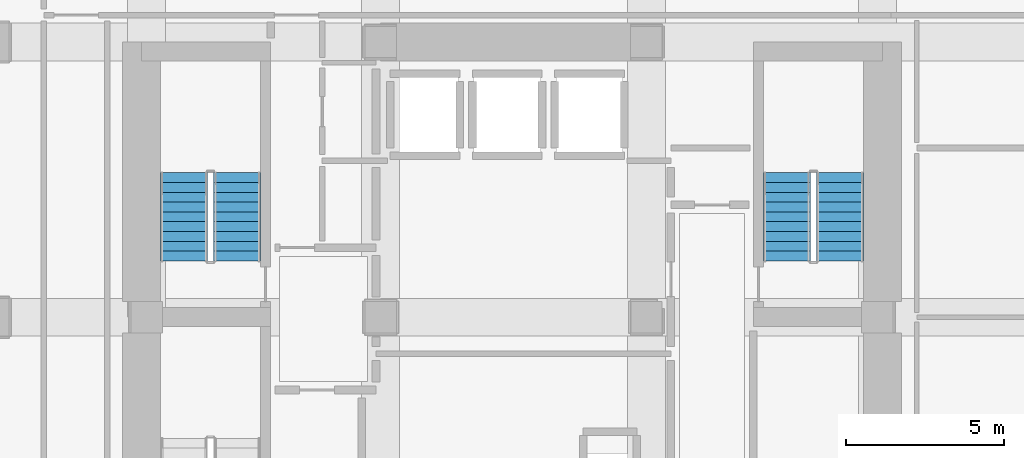
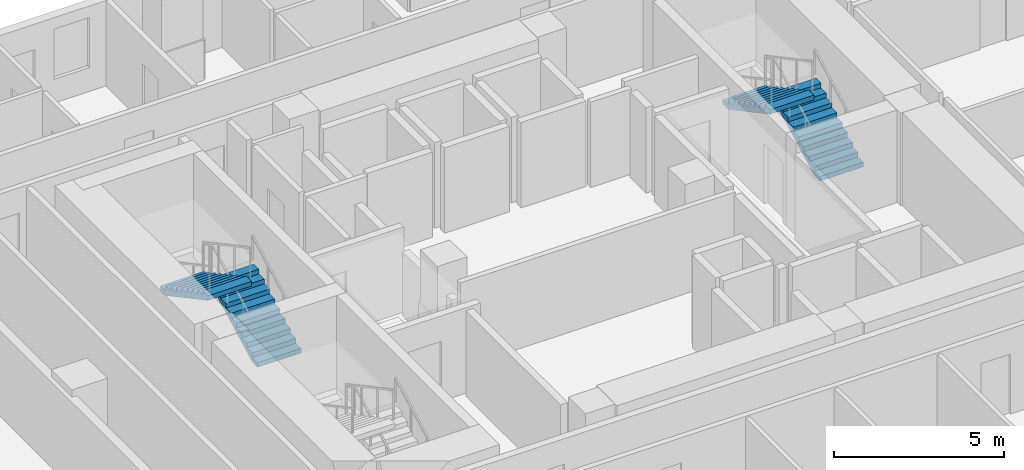
# One storey, part 7 of 10: 4 stair flights, 2 elements without a shape of their own.
"""IFC4 building model written with IfcOpenShell, lengths in metres."""

import ifcopenshell
import ifcopenshell.guid

model = None  # the IFC model being written
_history = None  # IfcOwnerHistory: only IFC2X3 demands one
_inside = {}  # id of a spatial element -> (the spatial element, [elements in it])
_under = {}  # id of a project, library or spatial element -> (it, [spatial elements below it])
_declared = {}  # id of a project -> (the project, [libraries it declares])
_typed = {}  # id of a type object -> (the type object, [elements of that type])
_made_of = {}  # id of a material, layer set ... -> (it, [elements and type objects made of it])


def new_model(schema):
    """Start an empty IFC model of exactly this schema.

    Asked for "IFC4X3", IfcOpenShell would pick the latest addendum, in which some entities
    have other attributes; the version numbers below select the first issue.
    IFC2X3 requires an IfcOwnerHistory on every rooted entity: one is made here for all.
    """
    global model, _history
    if schema == "IFC4X3":
        model = ifcopenshell.file(schema_version=(4, 3, 0, 0))
    else:
        model = ifcopenshell.file(schema=schema)
    _inside.clear()
    _under.clear()
    _declared.clear()
    _typed.clear()
    _made_of.clear()
    _history = None
    if model.schema == "IFC2X3":
        org = make("IfcOrganization", Name="unknown")
        user = make(
            "IfcPersonAndOrganization",
            ThePerson=make("IfcPerson", FamilyName="unknown"),
            TheOrganization=org,
        )
        app = make(
            "IfcApplication",
            ApplicationDeveloper=org,
            Version="unknown",
            ApplicationFullName="unknown",
            ApplicationIdentifier="unknown",
        )
        _history = make(
            "IfcOwnerHistory",
            OwningUser=user,
            OwningApplication=app,
            ChangeAction="ADDED",
            CreationDate=0,
        )
    return model


def make(cls, **values):
    """One entity of the class cls with the attributes given. An attribute that is None is left unset."""
    return model.create_entity(
        cls, **{name: value for name, value in values.items() if value is not None}
    )


def rooted(cls, **values):
    """An entity with a GlobalId (a new one), such as an element, a storey or a relation."""
    return make(cls, GlobalId=ifcopenshell.guid.new(), OwnerHistory=_history, **values)


def si_unit(unit_type, name, prefix=None):
    """IfcSIUnit, for example si_unit("LENGTHUNIT", "METRE", prefix="MILLI")."""
    return make("IfcSIUnit", UnitType=unit_type, Prefix=prefix, Name=name)


def assignment(units):
    """IfcUnitAssignment: the units of a project."""
    return None if units is None else make("IfcUnitAssignment", Units=units)


def point(xyz):
    """IfcCartesianPoint."""
    return None if xyz is None else make("IfcCartesianPoint", Coordinates=xyz)


def direction(xyz):
    """IfcDirection."""
    return None if xyz is None else make("IfcDirection", DirectionRatios=xyz)


def frame(location, z_axis=None, x_axis=None):
    """IfcAxis2Placement3D, a coordinate frame: its origin and axes. An axis left out is left unset."""
    return make(
        "IfcAxis2Placement3D",
        Location=point(location),
        Axis=direction(z_axis),
        RefDirection=direction(x_axis),
    )


def origin():
    """The frame at (0, 0, 0) with its axes left unset."""
    return frame((0.0, 0.0, 0.0))


def place(relative_to, where):
    """IfcLocalPlacement: puts the frame where relative to a parent placement (None: the world)."""
    return make(
        "IfcLocalPlacement", PlacementRelTo=relative_to, RelativePlacement=where
    )


def context(
    kind, dimensions, precision=None, world=None, true_north=None, identifier=None
):
    """IfcGeometricRepresentationContext, for example the 3D "Model" context."""
    return make(
        "IfcGeometricRepresentationContext",
        ContextIdentifier=identifier,
        ContextType=kind,
        CoordinateSpaceDimension=dimensions,
        Precision=precision,
        WorldCoordinateSystem=world,
        TrueNorth=true_north,
    )


def subcontext(parent, identifier, kind, view, scale=None):
    """IfcGeometricRepresentationSubContext, for example "Body" below "Model"."""
    return make(
        "IfcGeometricRepresentationSubContext",
        ContextIdentifier=identifier,
        ContextType=kind,
        ParentContext=parent,
        TargetScale=scale,
        TargetView=view,
    )


def project(units=None, contexts=None):
    """IfcProject with its units and contexts."""
    return rooted(
        "IfcProject",
        Name="project",
        RepresentationContexts=contexts,
        UnitsInContext=assignment(units),
    )


def spatial(cls, under=None, at=None, **own):
    """A site, building, storey or space (cls), placed at a placement, below another one or the project."""
    s = rooted(cls, ObjectPlacement=at, **own)
    if under is not None:
        _under.setdefault(under.id(), (under, []))[1].append(s)
    return s


def polyline(points):
    """IfcPolyline through the points."""
    return make("IfcPolyline", Points=[point(p) for p in points])


def outline(outer, holes=None, kind="AREA"):
    """IfcArbitraryClosedProfileDef: a profile drawn as a closed curve; with holes, ...WithVoids."""
    if holes is None:
        return make("IfcArbitraryClosedProfileDef", ProfileType=kind, OuterCurve=outer)
    return make(
        "IfcArbitraryProfileDefWithVoids",
        ProfileType=kind,
        OuterCurve=outer,
        InnerCurves=holes,
    )


def extrude(swept, where, along, depth):
    """IfcExtrudedAreaSolid: the profile swept, set in the frame where, extruded along a direction by depth."""
    return make(
        "IfcExtrudedAreaSolid",
        SweptArea=swept,
        Position=where,
        ExtrudedDirection=direction(along),
        Depth=depth,
    )


def shape(context_of_items, identifier, shape_type, items):
    """IfcShapeRepresentation: the items that make up one representation, for example the "Body"."""
    return make(
        "IfcShapeRepresentation",
        ContextOfItems=context_of_items,
        RepresentationIdentifier=identifier,
        RepresentationType=shape_type,
        Items=items,
    )


def material(Name=None, Category=None):
    """IfcMaterial."""
    return make("IfcMaterial", Name=Name, Category=Category)


def made_of(thing, what):
    """Note that an element or type object is made of a material, layer set ...; save() writes the relation."""
    if what is not None:
        _made_of.setdefault(what.id(), (what, []))[1].append(thing)
    return thing


def type_object(cls, material=None, **own):
    """A type object (cls), such as IfcWallType, which elements share."""
    return made_of(rooted(cls, **own), material)


def element(
    cls,
    number,
    at=None,
    inside=None,
    cuts=None,
    type_object=None,
    material=None,
    context=None,
    identifier="Body",
    shape_type=None,
    held_by="IfcProductDefinitionShape",
    body=None,
    shapes=None,
    **own,
):
    """One element of the class cls, such as IfcWall. Its Tag is "e" and its number.

    at: its placement. inside: the storey or other place that contains it. cuts: it is an
    opening in that element (IfcRelVoidsElement). A single representation is given by context,
    identifier, shape_type and body (its items); several are given by shapes. held_by: the class
    of the entity that holds the representations. save() writes the other relations.
    """
    e = rooted(cls, Tag="e%d" % number, ObjectPlacement=at, **own)
    if body is not None:
        shapes = [shape(context, identifier, shape_type, body)]
    if shapes is not None:
        e.Representation = make(held_by, Representations=shapes)
    if inside is not None:
        _inside.setdefault(inside.id(), (inside, []))[1].append(e)
    if cuts is not None:
        rooted(
            "IfcRelVoidsElement", RelatingBuildingElement=cuts, RelatedOpeningElement=e
        )
    if type_object is not None:
        _typed.setdefault(type_object.id(), (type_object, []))[1].append(e)
    return made_of(e, material)


def aggregate(whole, parts):
    """IfcRelAggregates: a whole, such as a stair, and the parts it consists of."""
    return rooted("IfcRelAggregates", RelatingObject=whole, RelatedObjects=parts)


def save(model, path):
    """Write the relations noted so far, then the file.

    IfcRelAggregates (storeys below a building ...), IfcRelContainedInSpatialStructure (elements
    in a storey), IfcRelDefinesByType, IfcRelAssociatesMaterial and IfcRelDeclares: one each for
    every whole, place, type object, material and project.
    """
    for whole, parts in _under.values():
        aggregate(whole, parts)
    for where, things in _inside.values():
        rooted(
            "IfcRelContainedInSpatialStructure",
            RelatedElements=things,
            RelatingStructure=where,
        )
    for kind, things in _typed.values():
        rooted("IfcRelDefinesByType", RelatedObjects=things, RelatingType=kind)
    for what, things in _made_of.values():
        rooted("IfcRelAssociatesMaterial", RelatedObjects=things, RelatingMaterial=what)
    for by, libraries in _declared.values():
        rooted("IfcRelDeclares", RelatingContext=by, RelatedDefinitions=libraries)
    model.write(path)


model = new_model("IFC4")

# Units and contexts
model_context = context("Model", 3, precision=1e-05, world=origin(), true_north=direction((0.0, 1.0)))
body_context = subcontext(model_context, "Body", "Model", "MODEL_VIEW")
ifc_project = project(units=[si_unit("LENGTHUNIT", "METRE"), si_unit("AREAUNIT", "SQUARE_METRE"), si_unit("VOLUMEUNIT", "CUBIC_METRE"), si_unit("PLANEANGLEUNIT", "RADIAN"), si_unit("MASSUNIT", "GRAM", prefix="KILO")], contexts=[model_context])

# Site, building, storey
site_placement = place(None, origin())
site = spatial("IfcSite", under=ifc_project, at=site_placement, CompositionType="ELEMENT")
building_placement = place(site_placement, origin())
building = spatial("IfcBuilding", under=site, at=building_placement, Name="Solanera Arch Residences", CompositionType="ELEMENT")
storey_placement = place(building_placement, frame((0.0, 0.0, 41.919921875)))
storey = spatial("IfcBuildingStorey", under=building, at=storey_placement, Name="L11", CompositionType="ELEMENT", Elevation=41.919921875)

# Stair, stair flights
ifc_material_1 = material(Name="Concrete C40/50 (f'c = 45 MPa)", Category="concrete")
stair_type = type_object("IfcStairType", Name="Tower Dogleg Exit Stair 1480", PredefinedType="HALF_TURN_STAIR", material=ifc_material_1)
stair_1_placement = place(storey_placement, origin())
stair_1 = element("IfcStair", 1, at=stair_1_placement, inside=storey, type_object=stair_type, Name="L11 Tower Core Exit Stair 1", PredefinedType="HALF_TURN_STAIR")
ifc_material_2 = material(Name="Concrete C40/50 (f'c = 45 MPa)", Category="concrete")
stair_flight_type = type_object("IfcStairFlightType", Name="Tower Precast Stair Flight 1480", PredefinedType="STRAIGHT", material=ifc_material_2)
stair_flight_1_placement = place(storey_placement, frame((16.260009765625, 32.47998046875, 0.0), z_axis=(0.0, 0.0, 1.0), x_axis=(0.0, 1.0, 0.0)))
stair_flight_1 = element("IfcStairFlight", 2, at=stair_flight_1_placement, type_object=stair_flight_type, Name="ST-T1 flight 1", NumberOfRisers=10, NumberOfTreads=9, PredefinedType="STRAIGHT", RiserHeight=0.166, TreadLength=0.31, context=body_context, shape_type="SweptSolid", body=[
    extrude(outline(polyline([(0.0, 0.0), (0.0, 0.166015625), (0.31005859375, 0.166015625), (0.31005859375, 0.33203125), (0.6201171875, 0.33203125), (0.6201171875, 0.498046875), (0.929931640625, 0.498046875), (0.929931640625, 0.6640625), (1.239990234375, 0.6640625), (1.239990234375, 0.830078125), (1.550048828125, 0.830078125), (1.550048828125, 0.99609375), (1.860107421875, 0.99609375), (1.860107421875, 1.162109375), (2.169921875, 1.162109375), (2.169921875, 1.327880859375), (2.47998046875, 1.327880859375), (2.47998046875, 1.493896484375), (2.7900390625, 1.493896484375), (2.7900390625, 1.659912109375), (2.7900390625, 1.323974609375), (0.317626953125, 0.0), (0.0, 0.0)])), frame((0.0, 0.739990234375, 0.0), z_axis=(0.0, -1.0, 0.0), x_axis=(1.0, 0.0, 0.0)), (0.0, 0.0, 1.0), 1.47998046875),
])
stair_flight_2_placement = place(storey_placement, frame((14.580078125, 35.27001953125, 1.66015625), z_axis=(0.0, 0.0, 1.0), x_axis=(0.0, -1.0, 0.0)))
stair_flight_2 = element("IfcStairFlight", 3, at=stair_flight_2_placement, type_object=stair_flight_type, Name="ST-T1 flight 2", NumberOfRisers=10, NumberOfTreads=9, PredefinedType="STRAIGHT", RiserHeight=0.166, TreadLength=0.31, context=body_context, shape_type="SweptSolid", body=[
    extrude(outline(polyline([(0.0, 0.0), (0.0, 0.166015625), (0.31005859375, 0.166015625), (0.31005859375, 0.33203125), (0.6201171875, 0.33203125), (0.6201171875, 0.498046875), (0.929931640625, 0.498046875), (0.929931640625, 0.6640625), (1.239990234375, 0.6640625), (1.239990234375, 0.830078125), (1.550048828125, 0.830078125), (1.550048828125, 0.99609375), (1.860107421875, 0.99609375), (1.860107421875, 1.162109375), (2.169921875, 1.162109375), (2.169921875, 1.327880859375), (2.47998046875, 1.327880859375), (2.47998046875, 1.493896484375), (2.7900390625, 1.493896484375), (2.7900390625, 1.659912109375), (2.7900390625, 1.323974609375), (0.317626953125, 0.0), (0.0, 0.0)])), frame((0.0, 0.739990234375, 0.0), z_axis=(0.0, -1.0, 0.0), x_axis=(1.0, 0.0, 0.0)), (0.0, 0.0, 1.0), 1.47998046875),
])
aggregate(stair_1, [stair_flight_1, stair_flight_2])

stair_2_placement = place(storey_placement, origin())
stair_2 = element("IfcStair", 4, at=stair_2_placement, inside=storey, type_object=stair_type, Name="L11 Tower Core Exit Stair 2", PredefinedType="HALF_TURN_STAIR")
stair_flight_3_placement = place(storey_placement, frame((35.320068359375, 32.47998046875, 0.0), z_axis=(0.0, 0.0, 1.0), x_axis=(0.0, 1.0, 0.0)))
stair_flight_3 = element("IfcStairFlight", 5, at=stair_flight_3_placement, type_object=stair_flight_type, Name="ST-T2 flight 1", NumberOfRisers=10, NumberOfTreads=9, PredefinedType="STRAIGHT", RiserHeight=0.166, TreadLength=0.31, context=body_context, shape_type="SweptSolid", body=[
    extrude(outline(polyline([(0.0, 0.0), (0.0, 0.166015625), (0.31005859375, 0.166015625), (0.31005859375, 0.33203125), (0.6201171875, 0.33203125), (0.6201171875, 0.498046875), (0.929931640625, 0.498046875), (0.929931640625, 0.6640625), (1.239990234375, 0.6640625), (1.239990234375, 0.830078125), (1.550048828125, 0.830078125), (1.550048828125, 0.99609375), (1.860107421875, 0.99609375), (1.860107421875, 1.162109375), (2.169921875, 1.162109375), (2.169921875, 1.327880859375), (2.47998046875, 1.327880859375), (2.47998046875, 1.493896484375), (2.7900390625, 1.493896484375), (2.7900390625, 1.659912109375), (2.7900390625, 1.323974609375), (0.317626953125, 0.0), (0.0, 0.0)])), frame((0.0, 0.739990234375, 0.0), z_axis=(0.0, -1.0, 0.0), x_axis=(1.0, 0.0, 0.0)), (0.0, 0.0, 1.0), 1.47998046875),
])
stair_flight_4_placement = place(storey_placement, frame((33.639892578125, 35.27001953125, 1.66015625), z_axis=(0.0, 0.0, 1.0), x_axis=(0.0, -1.0, 0.0)))
stair_flight_4 = element("IfcStairFlight", 6, at=stair_flight_4_placement, type_object=stair_flight_type, Name="ST-T2 flight 2", NumberOfRisers=10, NumberOfTreads=9, PredefinedType="STRAIGHT", RiserHeight=0.166, TreadLength=0.31, context=body_context, shape_type="SweptSolid", body=[
    extrude(outline(polyline([(0.0, 0.0), (0.0, 0.166015625), (0.31005859375, 0.166015625), (0.31005859375, 0.33203125), (0.6201171875, 0.33203125), (0.6201171875, 0.498046875), (0.929931640625, 0.498046875), (0.929931640625, 0.6640625), (1.239990234375, 0.6640625), (1.239990234375, 0.830078125), (1.550048828125, 0.830078125), (1.550048828125, 0.99609375), (1.860107421875, 0.99609375), (1.860107421875, 1.162109375), (2.169921875, 1.162109375), (2.169921875, 1.327880859375), (2.47998046875, 1.327880859375), (2.47998046875, 1.493896484375), (2.7900390625, 1.493896484375), (2.7900390625, 1.659912109375), (2.7900390625, 1.323974609375), (0.317626953125, 0.0), (0.0, 0.0)])), frame((0.0, 0.739990234375, 0.0), z_axis=(0.0, -1.0, 0.0), x_axis=(1.0, 0.0, 0.0)), (0.0, 0.0, 1.0), 1.47998046875),
])
aggregate(stair_2, [stair_flight_3, stair_flight_4])

save(model, "model.ifc")
